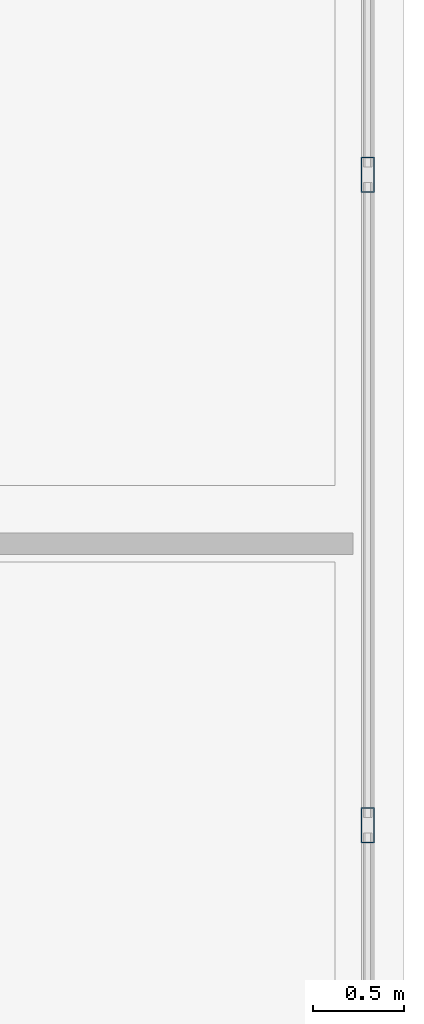
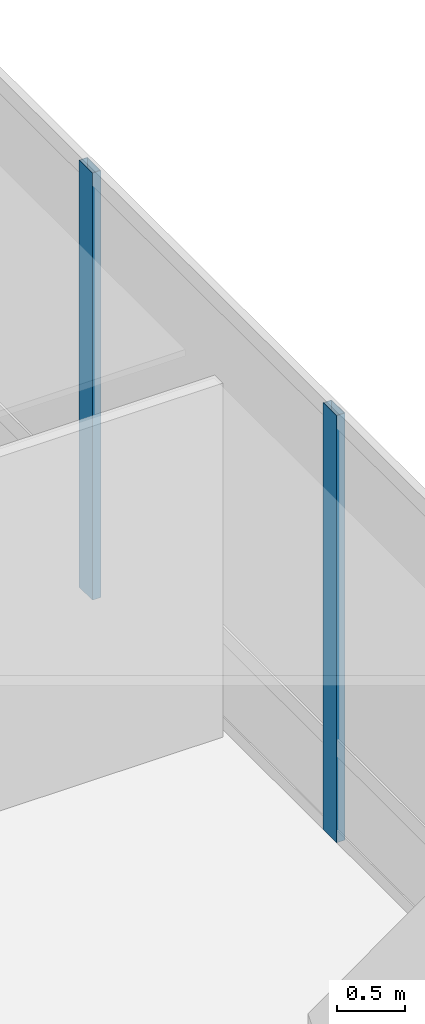
# One storey, part 14 of 41: 2 members, 1 element without a shape of its own.
"""IFC4 building model written with IfcOpenShell, lengths in metres."""

from ifc_helpers import new_model, si_unit, direction, frame, origin, origin_2d, place, context, subcontext, project, spatial, hollow_rectangle, extrude, material, material_profile, profile_set, type_object, element, aggregate, save


model = new_model("IFC4")

# Units and contexts
model_context = context("Model", 3, precision=1e-05, world=origin(), true_north=direction((0.0, 1.0)))
body_context = subcontext(model_context, "Body", "Model", "MODEL_VIEW")
ifc_project = project(units=[si_unit("LENGTHUNIT", "METRE"), si_unit("AREAUNIT", "SQUARE_METRE"), si_unit("VOLUMEUNIT", "CUBIC_METRE"), si_unit("PLANEANGLEUNIT", "RADIAN"), si_unit("MASSUNIT", "GRAM", prefix="KILO")], contexts=[model_context])

# Site, building, storey
site_placement = place(None, origin())
site = spatial("IfcSite", under=ifc_project, at=site_placement, CompositionType="ELEMENT")
building_placement = place(site_placement, origin())
building = spatial("IfcBuilding", under=site, at=building_placement, Name="Punatoya Terracotta Tower", CompositionType="ELEMENT")
storey_placement = place(building_placement, frame((0.0, 0.0, 220.800048828125)))
storey = spatial("IfcBuildingStorey", under=building, at=storey_placement, Name="L52", CompositionType="ELEMENT", Elevation=220.800048828125)

# Curtain wall, members
ifc_material_1 = material(Name="Aluminium 6063-T6 + Double Low-E Glass", Category="aluminium")
curtain_wall_type = type_object("IfcCurtainWallType", Name="CW-M2", PredefinedType="NOTDEFINED", material=ifc_material_1)
curtain_wall_placement = place(storey_placement, origin())
curtain_wall = element("IfcCurtainWall", 1, at=curtain_wall_placement, inside=storey, type_object=curtain_wall_type, Name="L52 Curtain Wall CW-L52-E04-1", PredefinedType="NOTDEFINED")
ifc_material_2 = material(Name="Aluminium 6063-T6", Category="aluminium")
ifc_material_profile = material_profile(ifc_material_2, hollow_rectangle(XDim=0.072021484375, YDim=0.195068359375, WallThickness=0.00439453125, at=origin_2d()))
ifc_profile_set = profile_set([ifc_material_profile], Name="Aluminium 6063-T6")
member_type = type_object("IfcMemberType", Name="CW-MUL-M2", PredefinedType="MULLION", material=ifc_profile_set)
member_1_placement = place(storey_placement, frame((24.85009765625, -13.2626953125, 0.0), z_axis=(0.0, 0.0, 1.0), x_axis=(1.0, 0.0, 0.0)))
member_1 = element("IfcMember", 2, at=member_1_placement, type_object=member_type, Name="CW-L52-E04-1 Mullion 01", PredefinedType="MULLION", context=body_context, shape_type="SweptSolid", body=[
    extrude(hollow_rectangle(XDim=0.072021484375, YDim=0.195068359375, WallThickness=0.00439453125, at=origin_2d()), origin(), (0.0, 0.0, 1.0), 3.829833984375),
])
member_2_placement = place(storey_placement, frame((24.85009765625, -9.675048828125, 0.0), z_axis=(0.0, 0.0, 1.0), x_axis=(1.0, 0.0, 0.0)))
member_2 = element("IfcMember", 3, at=member_2_placement, type_object=member_type, Name="CW-L52-E04-1 Mullion 02", PredefinedType="MULLION", context=body_context, shape_type="SweptSolid", body=[
    extrude(hollow_rectangle(XDim=0.072021484375, YDim=0.195068359375, WallThickness=0.00439453125, at=origin_2d()), origin(), (0.0, 0.0, 1.0), 3.829833984375),
])
aggregate(curtain_wall, [member_1, member_2])

save(model, "model.ifc")
